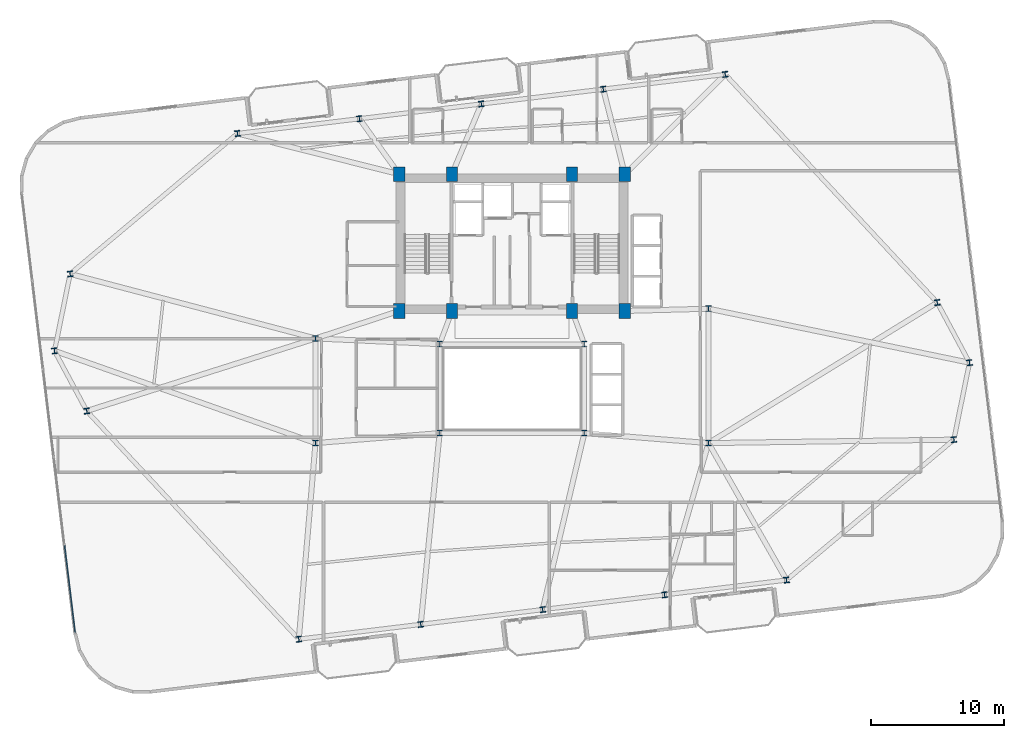
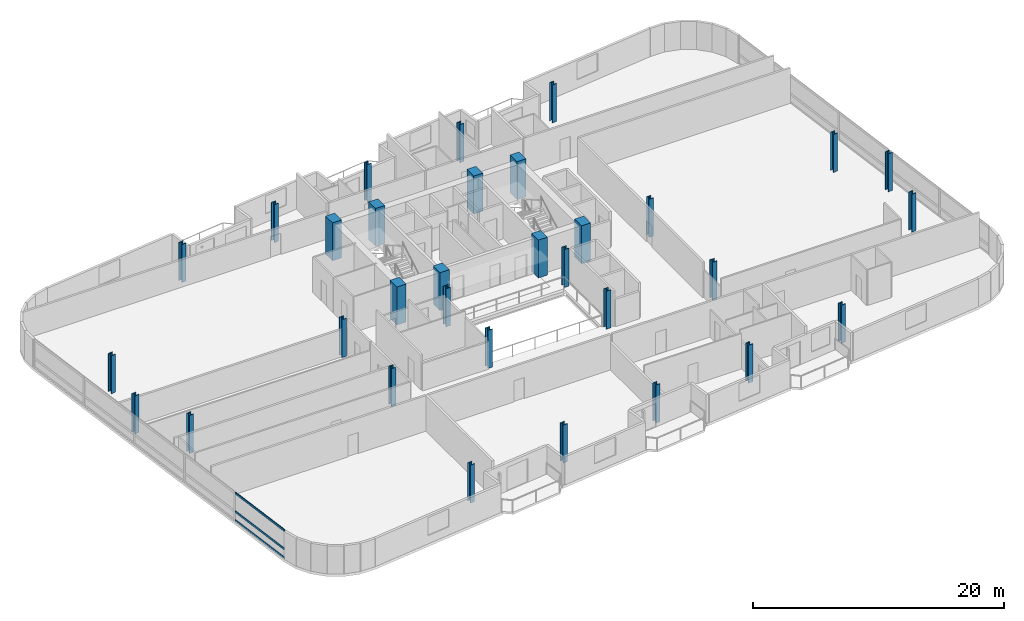
# One storey, part 1 of 22: 32 columns, 3 members, 1 element without a shape of its own.
"""IFC4 building model written with IfcOpenShell, lengths in metres."""

import ifcopenshell
import ifcopenshell.guid

model = None  # the IFC model being written
_history = None  # IfcOwnerHistory: only IFC2X3 demands one
_inside = {}  # id of a spatial element -> (the spatial element, [elements in it])
_under = {}  # id of a project, library or spatial element -> (it, [spatial elements below it])
_declared = {}  # id of a project -> (the project, [libraries it declares])
_typed = {}  # id of a type object -> (the type object, [elements of that type])
_made_of = {}  # id of a material, layer set ... -> (it, [elements and type objects made of it])


def new_model(schema):
    """Start an empty IFC model of exactly this schema.

    Asked for "IFC4X3", IfcOpenShell would pick the latest addendum, in which some entities
    have other attributes; the version numbers below select the first issue.
    IFC2X3 requires an IfcOwnerHistory on every rooted entity: one is made here for all.
    """
    global model, _history
    if schema == "IFC4X3":
        model = ifcopenshell.file(schema_version=(4, 3, 0, 0))
    else:
        model = ifcopenshell.file(schema=schema)
    _inside.clear()
    _under.clear()
    _declared.clear()
    _typed.clear()
    _made_of.clear()
    _history = None
    if model.schema == "IFC2X3":
        org = make("IfcOrganization", Name="unknown")
        user = make(
            "IfcPersonAndOrganization",
            ThePerson=make("IfcPerson", FamilyName="unknown"),
            TheOrganization=org,
        )
        app = make(
            "IfcApplication",
            ApplicationDeveloper=org,
            Version="unknown",
            ApplicationFullName="unknown",
            ApplicationIdentifier="unknown",
        )
        _history = make(
            "IfcOwnerHistory",
            OwningUser=user,
            OwningApplication=app,
            ChangeAction="ADDED",
            CreationDate=0,
        )
    return model


def make(cls, **values):
    """One entity of the class cls with the attributes given. An attribute that is None is left unset."""
    return model.create_entity(
        cls, **{name: value for name, value in values.items() if value is not None}
    )


def rooted(cls, **values):
    """An entity with a GlobalId (a new one), such as an element, a storey or a relation."""
    return make(cls, GlobalId=ifcopenshell.guid.new(), OwnerHistory=_history, **values)


def si_unit(unit_type, name, prefix=None):
    """IfcSIUnit, for example si_unit("LENGTHUNIT", "METRE", prefix="MILLI")."""
    return make("IfcSIUnit", UnitType=unit_type, Prefix=prefix, Name=name)


def assignment(units):
    """IfcUnitAssignment: the units of a project."""
    return None if units is None else make("IfcUnitAssignment", Units=units)


def point(xyz):
    """IfcCartesianPoint."""
    return None if xyz is None else make("IfcCartesianPoint", Coordinates=xyz)


def direction(xyz):
    """IfcDirection."""
    return None if xyz is None else make("IfcDirection", DirectionRatios=xyz)


def frame(location, z_axis=None, x_axis=None):
    """IfcAxis2Placement3D, a coordinate frame: its origin and axes. An axis left out is left unset."""
    return make(
        "IfcAxis2Placement3D",
        Location=point(location),
        Axis=direction(z_axis),
        RefDirection=direction(x_axis),
    )


def frame_2d(location, x_axis=None):
    """IfcAxis2Placement2D, a coordinate frame in the plane: its origin and x axis."""
    return make(
        "IfcAxis2Placement2D", Location=point(location), RefDirection=direction(x_axis)
    )


def origin():
    """The frame at (0, 0, 0) with its axes left unset."""
    return frame((0.0, 0.0, 0.0))


def origin_2d():
    """The frame at (0, 0) in the plane with its x axis left unset."""
    return frame_2d((0.0, 0.0))


def place(relative_to, where):
    """IfcLocalPlacement: puts the frame where relative to a parent placement (None: the world)."""
    return make(
        "IfcLocalPlacement", PlacementRelTo=relative_to, RelativePlacement=where
    )


def context(
    kind, dimensions, precision=None, world=None, true_north=None, identifier=None
):
    """IfcGeometricRepresentationContext, for example the 3D "Model" context."""
    return make(
        "IfcGeometricRepresentationContext",
        ContextIdentifier=identifier,
        ContextType=kind,
        CoordinateSpaceDimension=dimensions,
        Precision=precision,
        WorldCoordinateSystem=world,
        TrueNorth=true_north,
    )


def subcontext(parent, identifier, kind, view, scale=None):
    """IfcGeometricRepresentationSubContext, for example "Body" below "Model"."""
    return make(
        "IfcGeometricRepresentationSubContext",
        ContextIdentifier=identifier,
        ContextType=kind,
        ParentContext=parent,
        TargetScale=scale,
        TargetView=view,
    )


def project(units=None, contexts=None):
    """IfcProject with its units and contexts."""
    return rooted(
        "IfcProject",
        Name="project",
        RepresentationContexts=contexts,
        UnitsInContext=assignment(units),
    )


def spatial(cls, under=None, at=None, **own):
    """A site, building, storey or space (cls), placed at a placement, below another one or the project."""
    s = rooted(cls, ObjectPlacement=at, **own)
    if under is not None:
        _under.setdefault(under.id(), (under, []))[1].append(s)
    return s


def profile(cls, at=None, kind="AREA", **sizes):
    """A parametric profile (cls). Its sizes go by their IFC names, for example OverallWidth=200.0."""
    return make(cls, ProfileType=kind, Position=at, **sizes)


def rectangle(**sizes):
    """IfcRectangleProfileDef."""
    return profile("IfcRectangleProfileDef", **sizes)


def hollow_rectangle(**sizes):
    """IfcRectangleHollowProfileDef."""
    return profile("IfcRectangleHollowProfileDef", **sizes)


def i_section(**sizes):
    """IfcIShapeProfileDef."""
    return profile("IfcIShapeProfileDef", **sizes)


def extrude(swept, where, along, depth):
    """IfcExtrudedAreaSolid: the profile swept, set in the frame where, extruded along a direction by depth."""
    return make(
        "IfcExtrudedAreaSolid",
        SweptArea=swept,
        Position=where,
        ExtrudedDirection=direction(along),
        Depth=depth,
    )


def shape(context_of_items, identifier, shape_type, items):
    """IfcShapeRepresentation: the items that make up one representation, for example the "Body"."""
    return make(
        "IfcShapeRepresentation",
        ContextOfItems=context_of_items,
        RepresentationIdentifier=identifier,
        RepresentationType=shape_type,
        Items=items,
    )


def material(Name=None, Category=None):
    """IfcMaterial."""
    return make("IfcMaterial", Name=Name, Category=Category)


def layer(
    of_material, thickness, ventilated=None, Name=None, Category=None, Priority=None
):
    """IfcMaterialLayer: one layer of a wall or slab, of a material (None: an air gap)."""
    return make(
        "IfcMaterialLayer",
        Material=of_material,
        LayerThickness=thickness,
        IsVentilated=ventilated,
        Name=Name,
        Category=Category,
        Priority=Priority,
    )


def layer_set(layers, Name=None):
    """IfcMaterialLayerSet."""
    return make("IfcMaterialLayerSet", MaterialLayers=layers, LayerSetName=Name)


def material_profile(
    of_material, cross_section, Name=None, Category=None, Priority=None
):
    """IfcMaterialProfile: a cross section and its material."""
    return make(
        "IfcMaterialProfile",
        Name=Name,
        Material=of_material,
        Profile=cross_section,
        Priority=Priority,
        Category=Category,
    )


def profile_set(profiles, Name=None, composite=None):
    """IfcMaterialProfileSet."""
    return make(
        "IfcMaterialProfileSet",
        Name=Name,
        MaterialProfiles=profiles,
        CompositeProfile=composite,
    )


def made_of(thing, what):
    """Note that an element or type object is made of a material, layer set ...; save() writes the relation."""
    if what is not None:
        _made_of.setdefault(what.id(), (what, []))[1].append(thing)
    return thing


def type_object(cls, material=None, **own):
    """A type object (cls), such as IfcWallType, which elements share."""
    return made_of(rooted(cls, **own), material)


def element(
    cls,
    number,
    at=None,
    inside=None,
    cuts=None,
    type_object=None,
    material=None,
    context=None,
    identifier="Body",
    shape_type=None,
    held_by="IfcProductDefinitionShape",
    body=None,
    shapes=None,
    **own,
):
    """One element of the class cls, such as IfcWall. Its Tag is "e" and its number.

    at: its placement. inside: the storey or other place that contains it. cuts: it is an
    opening in that element (IfcRelVoidsElement). A single representation is given by context,
    identifier, shape_type and body (its items); several are given by shapes. held_by: the class
    of the entity that holds the representations. save() writes the other relations.
    """
    e = rooted(cls, Tag="e%d" % number, ObjectPlacement=at, **own)
    if body is not None:
        shapes = [shape(context, identifier, shape_type, body)]
    if shapes is not None:
        e.Representation = make(held_by, Representations=shapes)
    if inside is not None:
        _inside.setdefault(inside.id(), (inside, []))[1].append(e)
    if cuts is not None:
        rooted(
            "IfcRelVoidsElement", RelatingBuildingElement=cuts, RelatedOpeningElement=e
        )
    if type_object is not None:
        _typed.setdefault(type_object.id(), (type_object, []))[1].append(e)
    return made_of(e, material)


def aggregate(whole, parts):
    """IfcRelAggregates: a whole, such as a stair, and the parts it consists of."""
    return rooted("IfcRelAggregates", RelatingObject=whole, RelatedObjects=parts)


def save(model, path):
    """Write the relations noted so far, then the file.

    IfcRelAggregates (storeys below a building ...), IfcRelContainedInSpatialStructure (elements
    in a storey), IfcRelDefinesByType, IfcRelAssociatesMaterial and IfcRelDeclares: one each for
    every whole, place, type object, material and project.
    """
    for whole, parts in _under.values():
        aggregate(whole, parts)
    for where, things in _inside.values():
        rooted(
            "IfcRelContainedInSpatialStructure",
            RelatedElements=things,
            RelatingStructure=where,
        )
    for kind, things in _typed.values():
        rooted("IfcRelDefinesByType", RelatedObjects=things, RelatingType=kind)
    for what, things in _made_of.values():
        rooted("IfcRelAssociatesMaterial", RelatedObjects=things, RelatingMaterial=what)
    for by, libraries in _declared.values():
        rooted("IfcRelDeclares", RelatingContext=by, RelatedDefinitions=libraries)
    model.write(path)


model = new_model("IFC4")

# Units and contexts
model_context = context("Model", 3, precision=1e-05, world=origin(), true_north=direction((0.0, 1.0)))
body_context = subcontext(model_context, "Body", "Model", "MODEL_VIEW")
ifc_project = project(units=[si_unit("LENGTHUNIT", "METRE"), si_unit("AREAUNIT", "SQUARE_METRE"), si_unit("VOLUMEUNIT", "CUBIC_METRE"), si_unit("PLANEANGLEUNIT", "RADIAN"), si_unit("MASSUNIT", "GRAM", prefix="KILO")], contexts=[model_context])

# Site, building, storey
site_placement = place(None, origin())
site = spatial("IfcSite", under=ifc_project, at=site_placement, CompositionType="ELEMENT")
building_placement = place(site_placement, origin())
building = spatial("IfcBuilding", under=site, at=building_placement, Name="Varnelok Gate Tower", CompositionType="ELEMENT")
storey_placement = place(building_placement, frame((0.0, 0.0, 178.300048828125)))
storey = spatial("IfcBuildingStorey", under=building, at=storey_placement, Name="L45", CompositionType="ELEMENT", Elevation=178.300048828125)

# Columns
ifc_material_1 = material(Name="Concrete C60/75", Category="concrete")
ifc_material_profile_1 = material_profile(ifc_material_1, rectangle(XDim=0.85009765625, YDim=1.10009765625, at=origin_2d()), Name="RC1100X850")
ifc_profile_set_1 = profile_set([ifc_material_profile_1], Name="Concrete C60/75")
column_type_1 = type_object("IfcColumnType", Name="COL-RC1100X850", PredefinedType="COLUMN", material=ifc_profile_set_1)
for number, where, z_axis, x_axis, name in (
    (1, (30.699951171875, 28.75, 0.0), (0.0, 0.0, 1.0), (1.0, 0.0, 0.0), "L45 Core Spine Column SC1"),
    (2, (34.679931640625, 28.75, 0.0), (0.0, 0.0, 1.0), (1.0, 0.0, 0.0), "L45 Core Spine Column SC2"),
    (3, (43.719970703125, 28.75, 0.0), (0.0, 0.0, 1.0), (1.0, 0.0, 0.0), "L45 Core Spine Column SC3"),
    (4, (47.699951171875, 28.75, 0.0), (0.0, 0.0, 1.0), (1.0, 0.0, 0.0), "L45 Core Spine Column SC4"),
    (5, (30.699951171875, 39.050048828125, 0.0), (0.0, 0.0, 1.0), (1.0, 0.0, 0.0), "L45 Core Spine Column SC5"),
    (6, (34.679931640625, 39.050048828125, 0.0), (0.0, 0.0, 1.0), (1.0, 0.0, 0.0), "L45 Core Spine Column SC6"),
    (7, (43.719970703125, 39.050048828125, 0.0), (0.0, 0.0, 1.0), (1.0, 0.0, 0.0), "L45 Core Spine Column SC7"),
    (8, (47.699951171875, 39.050048828125, 0.0), (0.0, 0.0, 1.0), (1.0, 0.0, 0.0), "L45 Core Spine Column SC8"),
):
    element("IfcColumn", number, at=place(storey_placement, frame(where, z_axis=z_axis, x_axis=x_axis)), inside=storey, type_object=column_type_1, Name=name, PredefinedType="COLUMN", context=body_context, shape_type="SweptSolid", body=[
        extrude(rectangle(XDim=0.85009765625, YDim=1.10009765625, at=origin_2d()), origin(), (0.0, 0.0, 1.0), 3.699951171875),
    ])
ifc_material_2 = material(Name="Structural Steel ASTM A992 Grade 50", Category="steel")
ifc_material_profile_2 = material_profile(ifc_material_2, i_section(OverallWidth=0.412109375, OverallDepth=0.43505859375, WebThickness=0.035888671875, FlangeThickness=0.057373046875, FilletRadius=0.02490234375, at=origin_2d()), Name="W14X311")
ifc_profile_set_2 = profile_set([ifc_material_profile_2], Name="Structural Steel ASTM A992 Grade 50")
column_type_2 = type_object("IfcColumnType", Name="COL-W14X311", PredefinedType="COLUMN", material=ifc_profile_set_2)
for number, where, z_axis, x_axis, name in (
    (9, (23.142578125, 4.032958984375, 0.0), (0.0, 0.0, 1.0), (0.992732158755, 0.12034475881, 0.0), "L45 B4 Perimeter Column PC01"),
    (10, (32.325439453125, 5.146240234375, 0.0), (0.0, 0.0, 1.0), (0.992732158755, 0.12034475881, 0.0), "L45 B4 Perimeter Column PC02"),
    (11, (41.50830078125, 6.259521484375, 0.0), (0.0, 0.0, 1.0), (0.992732158755, 0.12034475881, 0.0), "L45 B4 Perimeter Column PC03"),
    (12, (50.69091796875, 7.37255859375, 0.0), (0.0, 0.0, 1.0), (0.992732158755, 0.12034475881, 0.0), "L45 B4 Perimeter Column PC04"),
    (13, (59.873779296875, 8.48583984375, 0.0), (0.0, 0.0, 1.0), (0.992732158755, 0.12034475881, 0.0), "L45 B4 Perimeter Column PC05"),
    (14, (72.476806640625, 19.059326171875, 0.0), (0.0, 0.0, 1.0), (0.992732158755, 0.12034475881, 0.0), "L45 B4 Perimeter Column PC06"),
    (15, (73.654296875, 24.85302734375, 0.0), (0.0, 0.0, 1.0), (0.992732158755, 0.12034475881, 0.0), "L45 B4 Perimeter Column PC07"),
    (16, (71.225341796875, 29.3837890625, 0.0), (0.0, 0.0, 1.0), (0.992732158755, 0.12034475881, 0.0), "L45 B4 Perimeter Column PC08"),
    (17, (55.25732421875, 46.56689453125, 0.0), (0.0, 0.0, 1.0), (0.992732158755, 0.12034475881, 0.0), "L45 B4 Perimeter Column PC09"),
    (18, (46.07470703125, 45.453857421875, 0.0), (0.0, 0.0, 1.0), (0.992732158755, 0.12034475881, 0.0), "L45 B4 Perimeter Column PC10"),
    (19, (36.891845703125, 44.340576171875, 0.0), (0.0, 0.0, 1.0), (0.992732158755, 0.12034475881, 0.0), "L45 B4 Perimeter Column PC11"),
    (20, (27.708984375, 43.227294921875, 0.0), (0.0, 0.0, 1.0), (0.992732158755, 0.12034475881, 0.0), "L45 B4 Perimeter Column PC12"),
    (21, (18.526123046875, 42.1142578125, 0.0), (0.0, 0.0, 1.0), (0.992732158755, 0.12034475881, 0.0), "L45 B4 Perimeter Column PC13"),
    (22, (5.923095703125, 31.540771484375, 0.0), (0.0, 0.0, 1.0), (0.992732158755, 0.12034475881, 0.0), "L45 B4 Perimeter Column PC14"),
    (23, (4.745849609375, 25.746826171875, 0.0), (0.0, 0.0, 1.0), (0.992732158755, 0.12034475881, 0.0), "L45 B4 Perimeter Column PC15"),
    (24, (7.1748046875, 21.21630859375, 0.0), (0.0, 0.0, 1.0), (0.992732158755, 0.12034475881, 0.0), "L45 B4 Perimeter Column PC16"),
):
    element("IfcColumn", number, at=place(storey_placement, frame(where, z_axis=z_axis, x_axis=x_axis)), inside=storey, type_object=column_type_2, Name=name, PredefinedType="COLUMN", context=body_context, shape_type="SweptSolid", body=[
        extrude(i_section(OverallWidth=0.412109375, OverallDepth=0.43505859375, WebThickness=0.035888671875, FlangeThickness=0.057373046875, FilletRadius=0.02490234375, at=origin_2d()), origin(), (0.0, 0.0, 1.0), 3.699951171875),
    ])
ifc_material_profile_3 = material_profile(ifc_material_2, i_section(OverallWidth=0.41796875, OverallDepth=0.455078125, WebThickness=0.0419921875, FlangeThickness=0.067626953125, FilletRadius=0.02490234375, at=origin_2d()), Name="W14X370")
ifc_profile_set_3 = profile_set([ifc_material_profile_3], Name="Structural Steel ASTM A992 Grade 50")
column_type_3 = type_object("IfcColumnType", Name="COL-W14X370", PredefinedType="COLUMN", material=ifc_profile_set_3)
for number, where, z_axis, x_axis, name in (
    (25, (33.75, 19.550048828125, 0.0), (0.0, 0.0, 1.0), (1.0, 0.0, 0.0), "L45 Atrium Spine Column AC1"),
    (26, (44.64990234375, 19.550048828125, 0.0), (0.0, 0.0, 1.0), (1.0, 0.0, 0.0), "L45 Atrium Spine Column AC2"),
    (27, (33.75, 26.25, 0.0), (0.0, 0.0, 1.0), (1.0, 0.0, 0.0), "L45 Atrium Spine Column AC3"),
    (28, (44.64990234375, 26.25, 0.0), (0.0, 0.0, 1.0), (1.0, 0.0, 0.0), "L45 Atrium Spine Column AC4"),
    (29, (24.39990234375, 18.800048828125, 0.0), (0.0, 0.0, 1.0), (1.0, 0.0, 0.0), "L45 Wing Spine Column WS1"),
    (30, (24.39990234375, 26.679931640625, 0.0), (0.0, 0.0, 1.0), (1.0, 0.0, 0.0), "L45 Wing Spine Column WS2"),
    (31, (54.0, 18.800048828125, 0.0), (0.0, 0.0, 1.0), (1.0, 0.0, 0.0), "L45 Wing Spine Column ES1"),
    (32, (54.0, 28.919921875, 0.0), (0.0, 0.0, 1.0), (1.0, 0.0, 0.0), "L45 Wing Spine Column ES2"),
):
    element("IfcColumn", number, at=place(storey_placement, frame(where, z_axis=z_axis, x_axis=x_axis)), inside=storey, type_object=column_type_3, Name=name, PredefinedType="COLUMN", context=body_context, shape_type="SweptSolid", body=[
        extrude(i_section(OverallWidth=0.41796875, OverallDepth=0.455078125, WebThickness=0.0419921875, FlangeThickness=0.067626953125, FilletRadius=0.02490234375, at=origin_2d()), origin(), (0.0, 0.0, 1.0), 3.699951171875),
    ])

# Curtain wall, members
ifc_material_3 = material(Name="Anodized Aluminum Alloy 6063-T6", Category="aluminium")
ifc_layer = layer(ifc_material_3, 0.179931640625)
ifc_layer_set = layer_set([ifc_layer], Name="Anodized Aluminum Alloy 6063-T6")
curtain_wall_type = type_object("IfcCurtainWallType", Name="CW4-RESIDENCE-VISION", PredefinedType="USERDEFINED", material=ifc_layer_set)
curtain_wall_placement = place(storey_placement, origin())
curtain_wall = element("IfcCurtainWall", 33, at=curtain_wall_placement, inside=storey, type_object=curtain_wall_type, Name="L45 West End Vision Curtain Wall", ObjectType="UNITISED CURTAIN WALL", PredefinedType="USERDEFINED")
ifc_material_profile_4 = material_profile(ifc_material_3, hollow_rectangle(XDim=0.074951171875, YDim=0.199951171875, WallThickness=0.00390625, at=origin_2d()), Name="ALU200X75X4")
ifc_profile_set_4 = profile_set([ifc_material_profile_4], Name="Anodized Aluminum Alloy 6063-T6")
member_type = type_object("IfcMemberType", Name="CW-TRAN-200", PredefinedType="USERDEFINED", material=ifc_profile_set_4)
member_1_placement = place(storey_placement, frame((6.29638671875, 4.564453125, 0.037353515625), z_axis=(-0.120369113246, 0.992729206066, 0.0), x_axis=(-0.992729206066, -0.120369113246, 0.0)))
member_1 = element("IfcMember", 34, at=member_1_placement, type_object=member_type, Name="CW4 transom 1.1", ObjectType="TRANSOM", PredefinedType="USERDEFINED", context=body_context, shape_type="SweptSolid", body=[
    extrude(hollow_rectangle(XDim=0.074951171875, YDim=0.199951171875, WallThickness=0.00390625, at=origin_2d()), origin(), (0.0, 0.0, 1.0), 6.567626953125),
])
member_2_placement = place(storey_placement, frame((6.29638671875, 4.564453125, 0.89990234375), z_axis=(-0.120369113246, 0.992729206066, 0.0), x_axis=(-0.992729206066, -0.120369113246, 0.0)))
member_2 = element("IfcMember", 35, at=member_2_placement, type_object=member_type, Name="CW4 transom 1.2", ObjectType="TRANSOM", PredefinedType="USERDEFINED", context=body_context, shape_type="SweptSolid", body=[
    extrude(hollow_rectangle(XDim=0.074951171875, YDim=0.199951171875, WallThickness=0.00390625, at=origin_2d()), origin(), (0.0, 0.0, 1.0), 6.567626953125),
])
member_3_placement = place(storey_placement, frame((6.29638671875, 4.564453125, 2.6923828125), z_axis=(-0.120369113246, 0.992729206066, 0.0), x_axis=(-0.992729206066, -0.120369113246, 0.0)))
member_3 = element("IfcMember", 36, at=member_3_placement, type_object=member_type, Name="CW4 transom 1.3", ObjectType="TRANSOM", PredefinedType="USERDEFINED", context=body_context, shape_type="SweptSolid", body=[
    extrude(hollow_rectangle(XDim=0.074951171875, YDim=0.199951171875, WallThickness=0.00390625, at=origin_2d()), origin(), (0.0, 0.0, 1.0), 6.567626953125),
])
aggregate(curtain_wall, [member_1, member_2, member_3])

save(model, "model.ifc")
